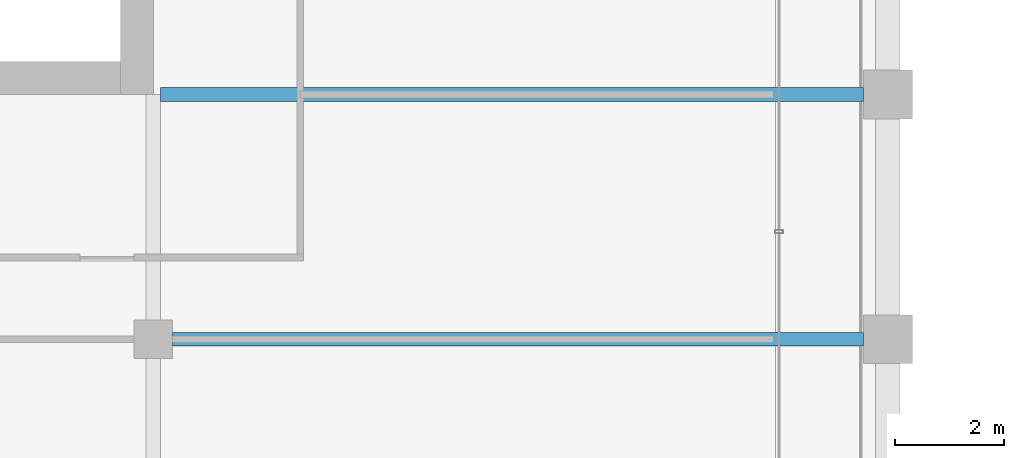
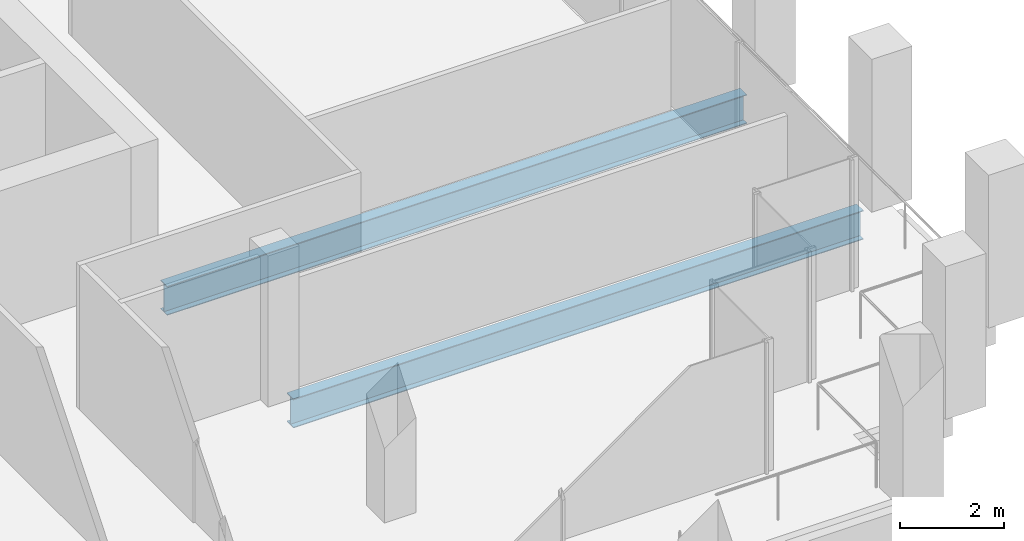
# One storey, part 14 of 40: 2 beams.
"""IFC4 building model written with IfcOpenShell, lengths in metres."""

from ifc_helpers import new_model, si_unit, direction, frame, origin, origin_2d, place, context, subcontext, project, spatial, i_section, extrude, material, material_profile, profile_set, type_object, element, save


model = new_model("IFC4")

# Units and contexts
model_context = context("Model", 3, precision=1e-05, world=origin(), true_north=direction((0.0, 1.0)))
body_context = subcontext(model_context, "Body", "Model", "MODEL_VIEW")
ifc_project = project(units=[si_unit("LENGTHUNIT", "METRE"), si_unit("AREAUNIT", "SQUARE_METRE"), si_unit("VOLUMEUNIT", "CUBIC_METRE"), si_unit("PLANEANGLEUNIT", "RADIAN"), si_unit("MASSUNIT", "GRAM", prefix="KILO")], contexts=[model_context])

# Site, building, storey
site_placement = place(None, origin())
site = spatial("IfcSite", under=ifc_project, at=site_placement, CompositionType="ELEMENT")
building_placement = place(site_placement, origin())
building = spatial("IfcBuilding", under=site, at=building_placement, Name="Altepetl Exchange Towers", CompositionType="ELEMENT")
storey_placement = place(building_placement, frame((0.0, 0.0, 187.0)))
storey = spatial("IfcBuildingStorey", under=building, at=storey_placement, Name="L47", CompositionType="ELEMENT", Elevation=187.0)

# Beams
ifc_material = material(Name="Steel S355", Category="steel")
ifc_material_profile = material_profile(ifc_material, i_section(OverallWidth=0.25390625, OverallDepth=0.68408203125, WebThickness=0.012451171875, FlangeThickness=0.018798828125, at=origin_2d()), Name="W27X94")
ifc_profile_set = profile_set([ifc_material_profile], Name="Steel S355")
beam_type = type_object("IfcBeamType", Name="Floor beam W27X94", PredefinedType="BEAM", material=ifc_profile_set)
beam_1_placement = place(storey_placement, frame((58.85009765625, 36.0, -0.491943359375), z_axis=(1.0, 0.0, 0.0), x_axis=(0.0, 1.0, 0.0)))
element("IfcBeam", 1, at=beam_1_placement, inside=storey, type_object=beam_type, Name="bm:A:L47:007", PredefinedType="BEAM", context=body_context, shape_type="SweptSolid", body=[
    extrude(i_section(OverallWidth=0.25390625, OverallDepth=0.68408203125, WebThickness=0.012451171875, FlangeThickness=0.018798828125, at=origin_2d()), origin(), (0.0, 0.0, 1.0), 12.699951171875),
])
beam_2_placement = place(storey_placement, frame((58.634033203125, 40.5, -0.491943359375), z_axis=(1.0, 0.0, 0.0), x_axis=(0.0, 1.0, 0.0)))
element("IfcBeam", 2, at=beam_2_placement, inside=storey, type_object=beam_type, Name="bm:A:L47:008", PredefinedType="BEAM", context=body_context, shape_type="SweptSolid", body=[
    extrude(i_section(OverallWidth=0.25390625, OverallDepth=0.68408203125, WebThickness=0.012451171875, FlangeThickness=0.018798828125, at=origin_2d()), origin(), (0.0, 0.0, 1.0), 12.916015625),
])

save(model, "model.ifc")
